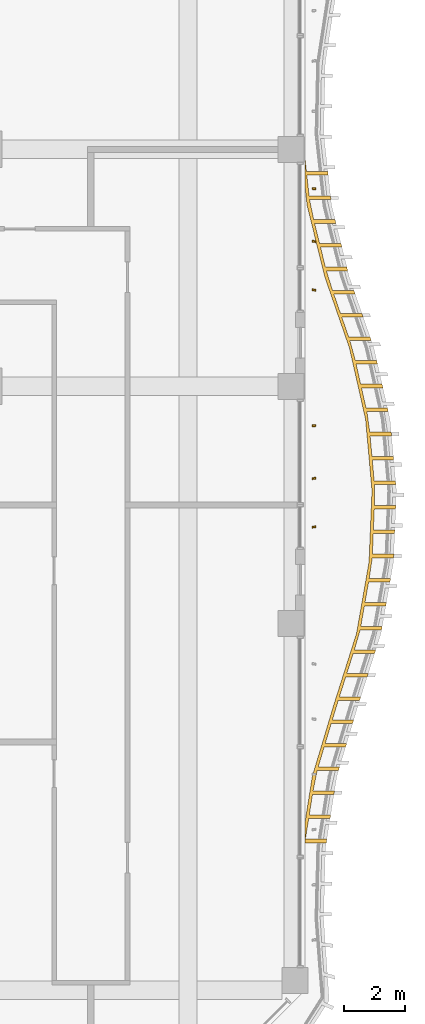
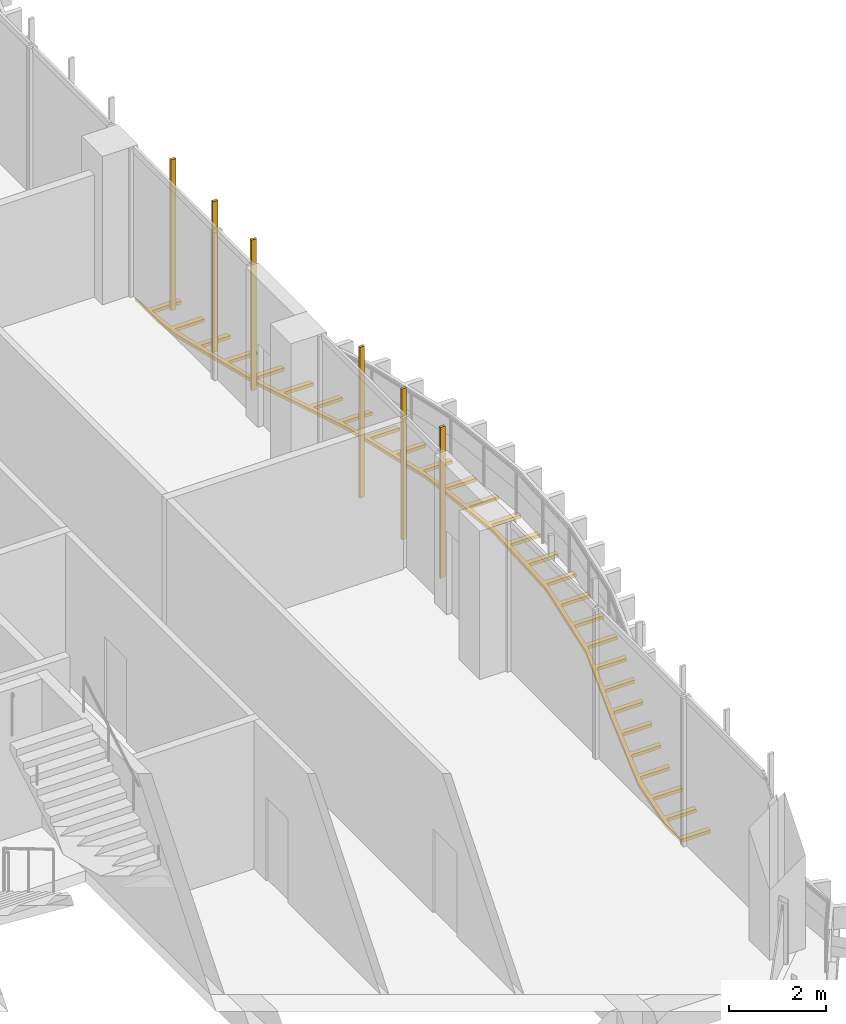
# One storey, part 23 of 25: 7 shading devices.
"""IFC4 building model written with IfcOpenShell, lengths in metres."""

from ifc_helpers import new_model, si_unit, direction, frame, origin, origin_2d, place, context, subcontext, project, spatial, polyline, rectangle, outline, extrude, source, transform, mapped, material, layer, layer_set, material_profile, profile_set, type_object, element, save


model = new_model("IFC4")

# Units and contexts
model_context = context("Model", 3, precision=1e-05, world=origin(), true_north=direction((0.0, 1.0)))
body_context = subcontext(model_context, "Body", "Model", "MODEL_VIEW")
ifc_project = project(units=[si_unit("LENGTHUNIT", "METRE"), si_unit("AREAUNIT", "SQUARE_METRE"), si_unit("VOLUMEUNIT", "CUBIC_METRE"), si_unit("PLANEANGLEUNIT", "RADIAN"), si_unit("MASSUNIT", "GRAM", prefix="KILO")], contexts=[model_context])

# Site, building, storey
site_placement = place(None, origin())
site = spatial("IfcSite", under=ifc_project, at=site_placement, CompositionType="ELEMENT")
building_placement = place(site_placement, origin())
building = spatial("IfcBuilding", under=site, at=building_placement, Name="Kilnfold Tower and Market Hall", CompositionType="ELEMENT")
storey_placement = place(building_placement, frame((0.0, 0.0, 120.60009765625)))
storey = spatial("IfcBuildingStorey", under=building, at=storey_placement, Name="L28", CompositionType="ELEMENT", Elevation=120.60009765625)

# Shading devices
ifc_material_1 = material(Name="Terracotta", Category="masonry")
ifc_material_profile = material_profile(ifc_material_1, rectangle(XDim=0.06005859375, YDim=0.1201171875, at=origin_2d()), Name="BAG 60x120")
ifc_profile_set = profile_set([ifc_material_profile], Name="Terracotta")
shading_device_type_1 = type_object("IfcShadingDeviceType", Name="BAGUETTE", PredefinedType="USERDEFINED", material=ifc_profile_set)
shared_shape_1 = source(origin(), body_context, "Body", "SweptSolid", [
    extrude(rectangle(XDim=0.06005859375, YDim=0.1201171875, at=origin_2d()), origin(), (0.0, 0.0, 1.0), 3.77978515625),
])
for number, where, z_axis, x_axis, name in (
    (1, (33.300048828125, -4.35009765625, 0.0), (0.0, 0.0, 1.0), (-0.098998455147, 0.995087587039, 0.0), "Terracotta baguette L28 E"),
    (2, (33.300048828125, -2.762451171875, 0.0), (0.0, 0.0, 1.0), (-0.138848164834, 0.990313681175, 0.0), "Terracotta baguette L28 E"),
    (3, (33.300048828125, -1.03759765625, 0.0), (0.0, 0.0, 1.0), (-0.106085318569, 0.994357031043, 0.0), "Terracotta baguette L28 E"),
    (4, (33.300048828125, 3.39990234375, 0.0), (0.0, 0.0, 1.0), (0.125729752342, 0.992064528837, 0.0), "Terracotta baguette L28 E"),
    (5, (33.300048828125, 4.987548828125, 0.0), (0.0, 0.0, 1.0), (0.134233512894, 0.990949728299, 0.0), "Terracotta baguette L28 E"),
    (6, (33.300048828125, 6.71240234375, 0.0), (0.0, 0.0, 1.0), (0.07035539187, 0.997521989148, 0.0), "Terracotta baguette L28 E"),
):
    element("IfcShadingDevice", number, at=place(storey_placement, frame(where, z_axis=z_axis, x_axis=x_axis)), inside=storey, type_object=shading_device_type_1, Name=name, ObjectType="BAGUETTE", PredefinedType="USERDEFINED", context=body_context, shape_type="MappedRepresentation", body=[
        mapped(shared_shape_1, transform((0.0, 0.0, 0.0))),
    ])
ifc_material_2 = material(Name="Bronze anodised aluminium", Category="aluminium")
ifc_layer = layer(ifc_material_2, 0.080078125)
ifc_layer_set = layer_set([ifc_layer], Name="Bronze anodised aluminium")
shading_device_type_2 = type_object("IfcShadingDeviceType", Name="BRONZE SLAT SOFFIT 80", PredefinedType="USERDEFINED", material=ifc_layer_set)
shared_shape_2 = source(origin(), body_context, "Body", "SweptSolid", [
    extrude(outline(polyline([(33.24462890625, -12.5), (33.946044921875, -10.166748046875), (34.688720703125, -7.833251953125), (35.09765625, -5.5), (35.195068359375, -3.166748046875), (34.985595703125, -0.833251953125), (34.45849609375, 1.5), (33.650390625, 3.833251953125), (33.0732421875, 6.166748046875), (33.0, 6.83349609375), (33.0, 7.744140625), (33.051513671875, 7.2763671875), (33.75146484375, 7.2763671875), (33.764404296875, 7.156982421875), (33.064453125, 7.156982421875), (33.138671875, 6.481201171875), (33.838623046875, 6.481201171875), (33.851806640625, 6.36181640625), (33.15185546875, 6.36181640625), (33.289306640625, 5.697265625), (33.9892578125, 5.697265625), (34.018310546875, 5.580810546875), (33.318115234375, 5.580810546875), (33.4814453125, 4.920654296875), (34.181396484375, 4.920654296875), (34.210205078125, 4.80419921875), (33.51025390625, 4.80419921875), (33.673583984375, 4.14404296875), (34.37353515625, 4.14404296875), (34.40234375, 4.027587890625), (33.702392578125, 4.027587890625), (33.907470703125, 3.3798828125), (34.607421875, 3.3798828125), (34.646728515625, 3.2666015625), (33.94677734375, 3.2666015625), (34.169189453125, 2.623779296875), (34.869384765625, 2.623779296875), (34.90869140625, 2.510498046875), (34.20849609375, 2.510498046875), (34.43115234375, 1.867919921875), (35.131103515625, 1.867919921875), (35.17041015625, 1.754638671875), (34.470458984375, 1.754638671875), (34.649169921875, 1.099609375), (35.34912109375, 1.099609375), (35.37548828125, 0.982421875), (34.675537109375, 0.982421875), (34.825439453125, 0.319091796875), (35.525390625, 0.319091796875), (35.5517578125, 0.2021484375), (34.851806640625, 0.2021484375), (35.001708984375, -0.461181640625), (35.70166015625, -0.461181640625), (35.72802734375, -0.578125), (35.028076171875, -0.578125), (35.123046875, -1.25), (35.822998046875, -1.25), (35.833740234375, -1.36962890625), (35.1337890625, -1.36962890625), (35.194580078125, -2.046875), (35.89453125, -2.046875), (35.9052734375, -2.16650390625), (35.205322265625, -2.16650390625), (35.26611328125, -2.84375), (35.966064453125, -2.84375), (35.976806640625, -2.963134765625), (35.276611328125, -2.963134765625), (35.275146484375, -3.64208984375), (35.97509765625, -3.64208984375), (35.97021484375, -3.761962890625), (35.270263671875, -3.761962890625), (35.24169921875, -4.44140625), (35.94189453125, -4.44140625), (35.936767578125, -4.561279296875), (35.23681640625, -4.561279296875), (35.20849609375, -5.240478515625), (35.908447265625, -5.240478515625), (35.9033203125, -5.360595703125), (35.203369140625, -5.360595703125), (35.104248046875, -6.0322265625), (35.80419921875, -6.0322265625), (35.78369140625, -6.150390625), (35.08349609375, -6.150390625), (34.96630859375, -6.8203125), (35.666259765625, -6.8203125), (35.6455078125, -6.9384765625), (34.945556640625, -6.9384765625), (34.827880859375, -7.608154296875), (35.528076171875, -7.608154296875), (35.50732421875, -7.726318359375), (34.807373046875, -7.726318359375), (34.615234375, -8.3779296875), (35.315185546875, -8.3779296875), (35.27880859375, -8.4921875), (34.578857421875, -8.4921875), (34.372802734375, -9.14013671875), (35.07275390625, -9.14013671875), (35.036376953125, -9.254638671875), (34.336181640625, -9.254638671875), (34.130126953125, -9.902587890625), (34.830078125, -9.902587890625), (34.793701171875, -10.016845703125), (34.09375, -10.016845703125), (33.8955078125, -10.66748046875), (34.595703125, -10.66748046875), (34.56103515625, -10.7822265625), (33.861083984375, -10.7822265625), (33.665283203125, -11.43359375), (34.365234375, -11.43359375), (34.330810546875, -11.54833984375), (33.630615234375, -11.54833984375), (33.43505859375, -12.19970703125), (34.135009765625, -12.19970703125), (34.100341796875, -12.314697265625), (33.400390625, -12.314697265625), (33.268310546875, -12.98046875), (33.968505859375, -12.98046875), (33.94970703125, -13.098876953125), (33.24951171875, -13.098876953125), (33.14306640625, -13.7705078125), (33.843017578125, -13.7705078125), (33.82421875, -13.888916015625), (33.1240234375, -13.888916015625), (33.017578125, -14.560546875), (33.717529296875, -14.560546875), (33.69873046875, -14.67919921875), (33.0, -14.67919921875), (33.0, -14.041015625), (33.24462890625, -12.5)])), origin(), (0.0, 0.0, 1.0), 0.079833984375),
])
shading_device_placement = place(storey_placement, frame((0.0, 0.0, -0.300048828125)))
element("IfcShadingDevice", 7, at=shading_device_placement, inside=storey, type_object=shading_device_type_2, Name="Balcony soffit slats L28", ObjectType="SLAT", PredefinedType="USERDEFINED", context=body_context, shape_type="MappedRepresentation", body=[
    mapped(shared_shape_2, transform((0.0, 0.0, 0.0))),
])

save(model, "model.ifc")
